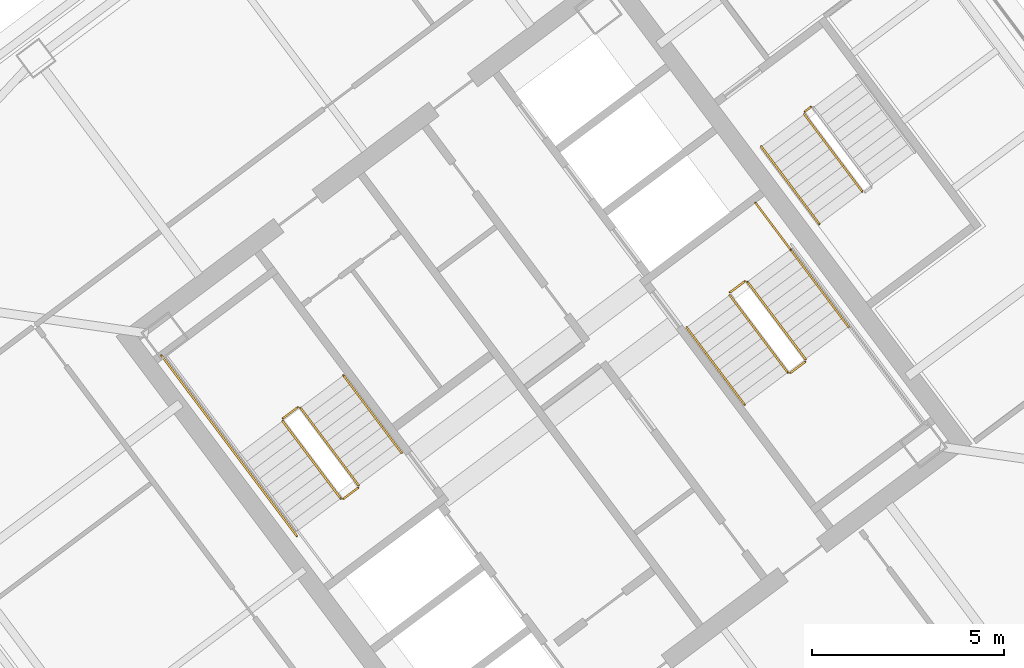
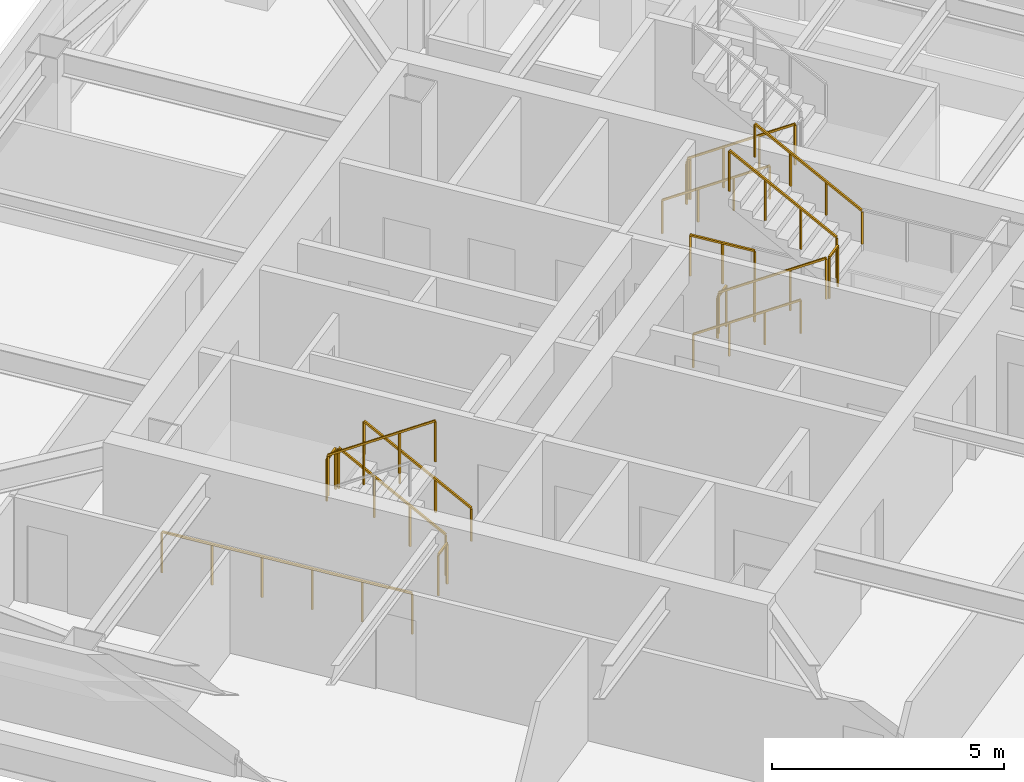
# One storey, part 42 of 44: 16 railings.
"""IFC4 building model written with IfcOpenShell, lengths in metres."""

from ifc_helpers import new_model, si_unit, direction, frame, origin, origin_2d, place, context, subcontext, project, spatial, rectangle, extrude, material, type_object, element, save


model = new_model("IFC4")

# Units and contexts
model_context = context("Model", 3, precision=1e-05, world=origin(), true_north=direction((0.0, 1.0)))
body_context = subcontext(model_context, "Body", "Model", "MODEL_VIEW")
ifc_project = project(units=[si_unit("LENGTHUNIT", "METRE"), si_unit("AREAUNIT", "SQUARE_METRE"), si_unit("VOLUMEUNIT", "CUBIC_METRE"), si_unit("PLANEANGLEUNIT", "RADIAN"), si_unit("MASSUNIT", "GRAM", prefix="KILO")], contexts=[model_context])

# Site, building, storey
site_placement = place(None, origin())
site = spatial("IfcSite", under=ifc_project, at=site_placement, CompositionType="ELEMENT")
building_placement = place(site_placement, origin())
building = spatial("IfcBuilding", under=site, at=building_placement, Name="Tashvorn Skyway Center", CompositionType="ELEMENT")
storey_placement = place(building_placement, frame((0.0, 0.0, 211.300048828125)))
storey = spatial("IfcBuildingStorey", under=building, at=storey_placement, Name="L57", CompositionType="ELEMENT", Elevation=211.300048828125)

# Railings
ifc_material_1 = material(Name="Brushed stainless steel 316", Category="steel")
railing_type_1 = type_object("IfcRailingType", Name="RAIL-HAND-920", PredefinedType="HANDRAIL", material=ifc_material_1)
railing_1_placement = place(storey_placement, frame((110.2880859375, 30.365966796875, 0.177490234375)))
element("IfcRailing", 1, at=railing_1_placement, inside=storey, type_object=railing_type_1, Name="L57 ST-T2-1 stair handrail 1", PredefinedType="HANDRAIL", context=body_context, shape_type="SweptSolid", body=[
    extrude(rectangle(XDim=0.048095703125, YDim=0.048095703125, at=origin_2d()), frame((0.0, 0.0, 0.8759765625), z_axis=(-0.506801609611, 0.675680931896, 0.535357270211), x_axis=(-0.799976749893, -0.600030998891, 0.0)), (0.0, 0.0, 1.0), 2.98388671875),
    extrude(rectangle(XDim=0.0419921875, YDim=0.0419921875, at=origin_2d()), origin(), (0.0, 0.0, 1.0), 0.851806640625),
    extrude(rectangle(XDim=0.0419921875, YDim=0.0419921875, at=origin_2d()), frame((-0.504150390625, 0.672119140625, 0.532470703125)), (0.0, 0.0, 1.0), 0.851806640625),
    extrude(rectangle(XDim=0.0419921875, YDim=0.0419921875, at=origin_2d()), frame((-1.008056640625, 1.343994140625, 1.06494140625)), (0.0, 0.0, 1.0), 0.851806640625),
    extrude(rectangle(XDim=0.0419921875, YDim=0.0419921875, at=origin_2d()), frame((-1.51220703125, 2.01611328125, 1.597412109375)), (0.0, 0.0, 1.0), 0.851806640625),
])
railing_2_placement = place(storey_placement, frame((117.7119140625, 33.634033203125, 0.177490234375)))
element("IfcRailing", 2, at=railing_2_placement, inside=storey, type_object=railing_type_1, Name="L57 ST-T2-2 stair handrail 1", PredefinedType="HANDRAIL", context=body_context, shape_type="SweptSolid", body=[
    extrude(rectangle(XDim=0.048095703125, YDim=0.048095703125, at=origin_2d()), frame((0.0, 0.0, 0.8759765625), z_axis=(0.506801609611, -0.675680931896, 0.535357270211), x_axis=(0.799976749893, 0.600030998891, 0.0)), (0.0, 0.0, 1.0), 2.98388671875),
    extrude(rectangle(XDim=0.0419921875, YDim=0.0419921875, at=origin_2d()), origin(), (0.0, 0.0, 1.0), 0.851806640625),
    extrude(rectangle(XDim=0.0419921875, YDim=0.0419921875, at=origin_2d()), frame((0.504150390625, -0.672119140625, 0.532470703125)), (0.0, 0.0, 1.0), 0.851806640625),
    extrude(rectangle(XDim=0.0419921875, YDim=0.0419921875, at=origin_2d()), frame((1.008056640625, -1.343994140625, 1.06494140625)), (0.0, 0.0, 1.0), 0.851806640625),
    extrude(rectangle(XDim=0.0419921875, YDim=0.0419921875, at=origin_2d()), frame((1.51220703125, -2.01611328125, 1.597412109375)), (0.0, 0.0, 1.0), 0.851806640625),
])
railing_3_placement = place(storey_placement, frame((121.927978515625, 33.64599609375, 1.952392578125)))
element("IfcRailing", 3, at=railing_3_placement, inside=storey, type_object=railing_type_1, Name="L57 ST-T2-2 stair handrail 2", PredefinedType="HANDRAIL", context=body_context, shape_type="SweptSolid", body=[
    extrude(rectangle(XDim=0.048095703125, YDim=0.048095703125, at=origin_2d()), frame((0.0, 0.0, 0.8759765625), z_axis=(-0.506718600913, 0.675679348675, 0.535437836974), x_axis=(-0.800023250257, -0.599968998406, 0.0)), (0.0, 0.0, 1.0), 2.98388671875),
    extrude(rectangle(XDim=0.0419921875, YDim=0.0419921875, at=origin_2d()), origin(), (0.0, 0.0, 1.0), 0.851806640625),
    extrude(rectangle(XDim=0.0419921875, YDim=0.0419921875, at=origin_2d()), frame((-0.50390625, 0.672119140625, 0.532470703125)), (0.0, 0.0, 1.0), 0.851806640625),
    extrude(rectangle(XDim=0.0419921875, YDim=0.0419921875, at=origin_2d()), frame((-1.008056640625, 1.343994140625, 1.065185546875)), (0.0, 0.0, 1.0), 0.851806640625),
    extrude(rectangle(XDim=0.0419921875, YDim=0.0419921875, at=origin_2d()), frame((-1.511962890625, 2.01611328125, 1.59765625)), (0.0, 0.0, 1.0), 0.851806640625),
])
railing_4_placement = place(storey_placement, frame((119.656005859375, 38.342041015625, 0.177490234375)))
element("IfcRailing", 4, at=railing_4_placement, inside=storey, type_object=railing_type_1, Name="L57 ST-T2-3 stair handrail 1", PredefinedType="HANDRAIL", context=body_context, shape_type="SweptSolid", body=[
    extrude(rectangle(XDim=0.048095703125, YDim=0.048095703125, at=origin_2d()), frame((0.0, 0.0, 0.8759765625), z_axis=(0.506740800098, -0.675708949977, 0.535379469569), x_axis=(0.800023250257, 0.599968998406, 0.0)), (0.0, 0.0, 1.0), 2.983642578125),
    extrude(rectangle(XDim=0.0419921875, YDim=0.0419921875, at=origin_2d()), origin(), (0.0, 0.0, 1.0), 0.851806640625),
    extrude(rectangle(XDim=0.0419921875, YDim=0.0419921875, at=origin_2d()), frame((0.50390625, -0.672119140625, 0.532470703125)), (0.0, 0.0, 1.0), 0.851806640625),
    extrude(rectangle(XDim=0.0419921875, YDim=0.0419921875, at=origin_2d()), frame((1.008056640625, -1.343994140625, 1.06494140625)), (0.0, 0.0, 1.0), 0.851806640625),
    extrude(rectangle(XDim=0.0419921875, YDim=0.0419921875, at=origin_2d()), frame((1.511962890625, -2.01611328125, 1.597412109375)), (0.0, 0.0, 1.0), 0.851806640625),
])
ifc_material_2 = material(Name="Painted galvanized steel S355", Category="steel")
railing_type_2 = type_object("IfcRailingType", Name="RAIL-STGUARD-1100", PredefinedType="GUARDRAIL", material=ifc_material_2)
railing_5_placement = place(storey_placement, frame((109.16796875, 29.52587890625, 0.177490234375)))
element("IfcRailing", 5, at=railing_5_placement, inside=storey, type_object=railing_type_2, Name="L57 ST-T2-1 stair guard 1", PredefinedType="GUARDRAIL", context=body_context, shape_type="SweptSolid", body=[
    extrude(rectangle(XDim=0.048095703125, YDim=0.048095703125, at=origin_2d()), frame((0.0, 0.0, 1.076171875), z_axis=(-0.506740800098, 0.675708949977, 0.535379469569), x_axis=(-0.800023250257, -0.599968998406, 0.0)), (0.0, 0.0, 1.0), 2.983642578125),
    extrude(rectangle(XDim=0.0419921875, YDim=0.0419921875, at=origin_2d()), origin(), (0.0, 0.0, 1.0), 1.052001953125),
    extrude(rectangle(XDim=0.0419921875, YDim=0.0419921875, at=origin_2d()), frame((-0.50390625, 0.672119140625, 0.532470703125)), (0.0, 0.0, 1.0), 1.052001953125),
    extrude(rectangle(XDim=0.0419921875, YDim=0.0419921875, at=origin_2d()), frame((-1.008056640625, 1.343994140625, 1.06494140625)), (0.0, 0.0, 1.0), 1.052001953125),
    extrude(rectangle(XDim=0.0419921875, YDim=0.0419921875, at=origin_2d()), frame((-1.511962890625, 2.01611328125, 1.597412109375)), (0.0, 0.0, 1.0), 1.052001953125),
])
railing_6_placement = place(storey_placement, frame((107.5859375, 31.552001953125, 1.77490234375)))
element("IfcRailing", 6, at=railing_6_placement, inside=storey, type_object=railing_type_2, Name="L57 ST-T2-1 stair guard 2", PredefinedType="GUARDRAIL", context=body_context, shape_type="SweptSolid", body=[
    extrude(rectangle(XDim=0.048095703125, YDim=0.048095703125, at=origin_2d()), frame((0.0, 0.0, 1.076171875), z_axis=(-0.799938970639, -0.600081363861, 0.0), x_axis=(0.600081363861, -0.799938970639, 0.0)), (0.0, 0.0, 1.0), 0.47998046875),
    extrude(rectangle(XDim=0.0419921875, YDim=0.0419921875, at=origin_2d()), origin(), (0.0, 0.0, 1.0), 1.052001953125),
    extrude(rectangle(XDim=0.0419921875, YDim=0.0419921875, at=origin_2d()), frame((-0.384033203125, -0.2880859375, 0.0)), (0.0, 0.0, 1.0), 1.052001953125),
])
railing_7_placement = place(storey_placement, frame((107.19189453125, 31.194091796875, 1.952392578125)))
element("IfcRailing", 7, at=railing_7_placement, inside=storey, type_object=railing_type_2, Name="L57 ST-T2-1 stair guard 4", PredefinedType="GUARDRAIL", context=body_context, shape_type="SweptSolid", body=[
    extrude(rectangle(XDim=0.048095703125, YDim=0.048095703125, at=origin_2d()), frame((0.0, 0.0, 1.076171875), z_axis=(0.506779409603, -0.675651334276, 0.53541563714), x_axis=(0.799976749893, 0.600030998891, 0.0)), (0.0, 0.0, 1.0), 2.98388671875),
    extrude(rectangle(XDim=0.0419921875, YDim=0.0419921875, at=origin_2d()), origin(), (0.0, 0.0, 1.0), 1.052001953125),
    extrude(rectangle(XDim=0.0419921875, YDim=0.0419921875, at=origin_2d()), frame((0.504150390625, -0.672119140625, 0.532470703125)), (0.0, 0.0, 1.0), 1.052001953125),
    extrude(rectangle(XDim=0.0419921875, YDim=0.0419921875, at=origin_2d()), frame((1.008056640625, -1.343994140625, 1.065185546875)), (0.0, 0.0, 1.0), 1.052001953125),
    extrude(rectangle(XDim=0.0419921875, YDim=0.0419921875, at=origin_2d()), frame((1.51220703125, -2.01611328125, 1.59765625)), (0.0, 0.0, 1.0), 1.052001953125),
])
railing_8_placement = place(storey_placement, frame((109.157958984375, 29.4560546875, 0.0)))
element("IfcRailing", 8, at=railing_8_placement, inside=storey, type_object=railing_type_2, Name="L57 ST-T2-1 stair guard 5", PredefinedType="GUARDRAIL", context=body_context, shape_type="SweptSolid", body=[
    extrude(rectangle(XDim=0.048095703125, YDim=0.048095703125, at=origin_2d()), frame((0.0, 0.0, 1.076171875), z_axis=(-0.799938970639, -0.600081363861, 0.0), x_axis=(0.600081363861, -0.799938970639, 0.0)), (0.0, 0.0, 1.0), 0.47998046875),
    extrude(rectangle(XDim=0.0419921875, YDim=0.0419921875, at=origin_2d()), origin(), (0.0, 0.0, 1.0), 1.052001953125),
    extrude(rectangle(XDim=0.0419921875, YDim=0.0419921875, at=origin_2d()), frame((-0.384033203125, -0.2880859375, 0.0)), (0.0, 0.0, 1.0), 1.052001953125),
])
railing_9_placement = place(storey_placement, frame((107.56396484375, 28.197998046875, 0.0)))
element("IfcRailing", 9, at=railing_9_placement, inside=storey, type_object=railing_type_2, Name="L57 ST-T2-1 stair guard 7", PredefinedType="GUARDRAIL", context=body_context, shape_type="SweptSolid", body=[
    extrude(rectangle(XDim=0.048095703125, YDim=0.048095703125, at=origin_2d()), frame((0.0, 0.0, 1.076171875), z_axis=(-0.6, 0.8, 0.0), x_axis=(-0.8, -0.6, 0.0)), (0.0, 0.0, 1.0), 5.880126953125),
    extrude(rectangle(XDim=0.0419921875, YDim=0.0419921875, at=origin_2d()), origin(), (0.0, 0.0, 1.0), 1.052001953125),
    extrude(rectangle(XDim=0.0419921875, YDim=0.0419921875, at=origin_2d()), frame((-0.70556640625, 0.94091796875, 0.0)), (0.0, 0.0, 1.0), 1.052001953125),
    extrude(rectangle(XDim=0.0419921875, YDim=0.0419921875, at=origin_2d()), frame((-1.4111328125, 1.881591796875, 0.0)), (0.0, 0.0, 1.0), 1.052001953125),
    extrude(rectangle(XDim=0.0419921875, YDim=0.0419921875, at=origin_2d()), frame((-2.116943359375, 2.822509765625, 0.0)), (0.0, 0.0, 1.0), 1.052001953125),
    extrude(rectangle(XDim=0.0419921875, YDim=0.0419921875, at=origin_2d()), frame((-2.822509765625, 3.76318359375, 0.0)), (0.0, 0.0, 1.0), 1.052001953125),
    extrude(rectangle(XDim=0.0419921875, YDim=0.0419921875, at=origin_2d()), frame((-3.528076171875, 4.7041015625, 0.0)), (0.0, 0.0, 1.0), 1.052001953125),
])
railing_10_placement = place(storey_placement, frame((118.83203125, 34.47412109375, 0.177490234375)))
element("IfcRailing", 10, at=railing_10_placement, inside=storey, type_object=railing_type_2, Name="L57 ST-T2-2 stair guard 1", PredefinedType="GUARDRAIL", context=body_context, shape_type="SweptSolid", body=[
    extrude(rectangle(XDim=0.048095703125, YDim=0.048095703125, at=origin_2d()), frame((0.0, 0.0, 1.076171875), z_axis=(0.506740800098, -0.675708949977, 0.535379469569), x_axis=(0.800023250257, 0.599968998406, 0.0)), (0.0, 0.0, 1.0), 2.983642578125),
    extrude(rectangle(XDim=0.0419921875, YDim=0.0419921875, at=origin_2d()), origin(), (0.0, 0.0, 1.0), 1.052001953125),
    extrude(rectangle(XDim=0.0419921875, YDim=0.0419921875, at=origin_2d()), frame((0.50390625, -0.672119140625, 0.532470703125)), (0.0, 0.0, 1.0), 1.052001953125),
    extrude(rectangle(XDim=0.0419921875, YDim=0.0419921875, at=origin_2d()), frame((1.008056640625, -1.343994140625, 1.06494140625)), (0.0, 0.0, 1.0), 1.052001953125),
    extrude(rectangle(XDim=0.0419921875, YDim=0.0419921875, at=origin_2d()), frame((1.511962890625, -2.01611328125, 1.597412109375)), (0.0, 0.0, 1.0), 1.052001953125),
])
railing_11_placement = place(storey_placement, frame((120.4140625, 32.447998046875, 1.77490234375)))
element("IfcRailing", 11, at=railing_11_placement, inside=storey, type_object=railing_type_2, Name="L57 ST-T2-2 stair guard 2", PredefinedType="GUARDRAIL", context=body_context, shape_type="SweptSolid", body=[
    extrude(rectangle(XDim=0.048095703125, YDim=0.048095703125, at=origin_2d()), frame((0.0, 0.0, 1.076171875), z_axis=(0.799938970639, 0.600081363861, 0.0), x_axis=(-0.600081363861, 0.799938970639, 0.0)), (0.0, 0.0, 1.0), 0.47998046875),
    extrude(rectangle(XDim=0.0419921875, YDim=0.0419921875, at=origin_2d()), origin(), (0.0, 0.0, 1.0), 1.052001953125),
    extrude(rectangle(XDim=0.0419921875, YDim=0.0419921875, at=origin_2d()), frame((0.384033203125, 0.2880859375, 0.0)), (0.0, 0.0, 1.0), 1.052001953125),
])
railing_12_placement = place(storey_placement, frame((120.80810546875, 32.805908203125, 1.952392578125)))
element("IfcRailing", 12, at=railing_12_placement, inside=storey, type_object=railing_type_2, Name="L57 ST-T2-2 stair guard 4", PredefinedType="GUARDRAIL", context=body_context, shape_type="SweptSolid", body=[
    extrude(rectangle(XDim=0.048095703125, YDim=0.048095703125, at=origin_2d()), frame((0.0, 0.0, 1.076171875), z_axis=(-0.506779409603, 0.675651334276, 0.53541563714), x_axis=(-0.799976749893, -0.600030998891, 0.0)), (0.0, 0.0, 1.0), 2.98388671875),
    extrude(rectangle(XDim=0.0419921875, YDim=0.0419921875, at=origin_2d()), origin(), (0.0, 0.0, 1.0), 1.052001953125),
    extrude(rectangle(XDim=0.0419921875, YDim=0.0419921875, at=origin_2d()), frame((-0.504150390625, 0.672119140625, 0.532470703125)), (0.0, 0.0, 1.0), 1.052001953125),
    extrude(rectangle(XDim=0.0419921875, YDim=0.0419921875, at=origin_2d()), frame((-1.008056640625, 1.343994140625, 1.065185546875)), (0.0, 0.0, 1.0), 1.052001953125),
    extrude(rectangle(XDim=0.0419921875, YDim=0.0419921875, at=origin_2d()), frame((-1.51220703125, 2.01611328125, 1.59765625)), (0.0, 0.0, 1.0), 1.052001953125),
])
railing_13_placement = place(storey_placement, frame((118.842041015625, 34.5439453125, 0.0)))
element("IfcRailing", 13, at=railing_13_placement, inside=storey, type_object=railing_type_2, Name="L57 ST-T2-2 stair guard 5", PredefinedType="GUARDRAIL", context=body_context, shape_type="SweptSolid", body=[
    extrude(rectangle(XDim=0.048095703125, YDim=0.048095703125, at=origin_2d()), frame((0.0, 0.0, 1.076171875), z_axis=(0.799938970639, 0.600081363861, 0.0), x_axis=(-0.600081363861, 0.799938970639, 0.0)), (0.0, 0.0, 1.0), 0.47998046875),
    extrude(rectangle(XDim=0.0419921875, YDim=0.0419921875, at=origin_2d()), origin(), (0.0, 0.0, 1.0), 1.052001953125),
    extrude(rectangle(XDim=0.0419921875, YDim=0.0419921875, at=origin_2d()), frame((0.384033203125, 0.2880859375, 0.0)), (0.0, 0.0, 1.0), 1.052001953125),
])
railing_14_placement = place(storey_placement, frame((119.50390625, 36.8779296875, 0.0)))
element("IfcRailing", 14, at=railing_14_placement, inside=storey, type_object=railing_type_2, Name="L57 ST-T2-2 stair guard 6", PredefinedType="GUARDRAIL", context=body_context, shape_type="SweptSolid", body=[
    extrude(rectangle(XDim=0.048095703125, YDim=0.048095703125, at=origin_2d()), frame((0.0, 0.0, 1.076171875), z_axis=(0.600102796382, -0.799922892393, 0.0), x_axis=(0.799922892393, 0.600102796382, 0.0)), (0.0, 0.0, 1.0), 1.52001953125),
    extrude(rectangle(XDim=0.0419921875, YDim=0.0419921875, at=origin_2d()), origin(), (0.0, 0.0, 1.0), 1.052001953125),
    extrude(rectangle(XDim=0.0419921875, YDim=0.0419921875, at=origin_2d()), frame((0.4560546875, -0.60791015625, 0.0)), (0.0, 0.0, 1.0), 1.052001953125),
    extrude(rectangle(XDim=0.0419921875, YDim=0.0419921875, at=origin_2d()), frame((0.912109375, -1.2158203125, 0.0)), (0.0, 0.0, 1.0), 1.052001953125),
])
railing_15_placement = place(storey_placement, frame((120.77587890625, 39.181884765625, 0.177490234375)))
element("IfcRailing", 15, at=railing_15_placement, inside=storey, type_object=railing_type_2, Name="L57 ST-T2-3 stair guard 1", PredefinedType="GUARDRAIL", context=body_context, shape_type="SweptSolid", body=[
    extrude(rectangle(XDim=0.048095703125, YDim=0.048095703125, at=origin_2d()), frame((0.0, 0.0, 1.076171875), z_axis=(0.506829628838, -0.67563646195, 0.535386868177), x_axis=(0.799941867976, 0.600077501544, 0.0)), (0.0, 0.0, 1.0), 2.983642578125),
    extrude(rectangle(XDim=0.0419921875, YDim=0.0419921875, at=origin_2d()), origin(), (0.0, 0.0, 1.0), 1.052001953125),
    extrude(rectangle(XDim=0.0419921875, YDim=0.0419921875, at=origin_2d()), frame((0.504150390625, -0.671875, 0.532470703125)), (0.0, 0.0, 1.0), 1.052001953125),
    extrude(rectangle(XDim=0.0419921875, YDim=0.0419921875, at=origin_2d()), frame((1.008056640625, -1.343994140625, 1.06494140625)), (0.0, 0.0, 1.0), 1.052001953125),
    extrude(rectangle(XDim=0.0419921875, YDim=0.0419921875, at=origin_2d()), frame((1.51220703125, -2.015869140625, 1.597412109375)), (0.0, 0.0, 1.0), 1.052001953125),
])
railing_16_placement = place(storey_placement, frame((120.785888671875, 39.251953125, 0.0)))
element("IfcRailing", 16, at=railing_16_placement, inside=storey, type_object=railing_type_2, Name="L57 ST-T2-3 stair guard 4", PredefinedType="GUARDRAIL", context=body_context, shape_type="SweptSolid", body=[
    extrude(rectangle(XDim=0.048095703125, YDim=0.048095703125, at=origin_2d()), frame((0.0, 0.0, 1.076171875), z_axis=(0.8, 0.6, 0.0), x_axis=(-0.6, 0.8, 0.0)), (0.0, 0.0, 1.0), 0.2001953125),
    extrude(rectangle(XDim=0.0419921875, YDim=0.0419921875, at=origin_2d()), origin(), (0.0, 0.0, 1.0), 1.052001953125),
    extrude(rectangle(XDim=0.0419921875, YDim=0.0419921875, at=origin_2d()), frame((0.16015625, 0.1201171875, 0.0)), (0.0, 0.0, 1.0), 1.052001953125),
])

save(model, "model.ifc")
